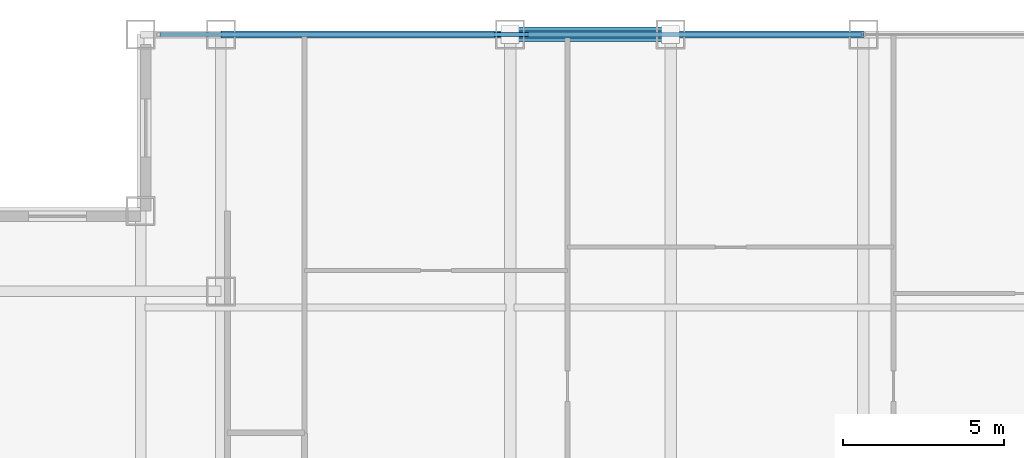
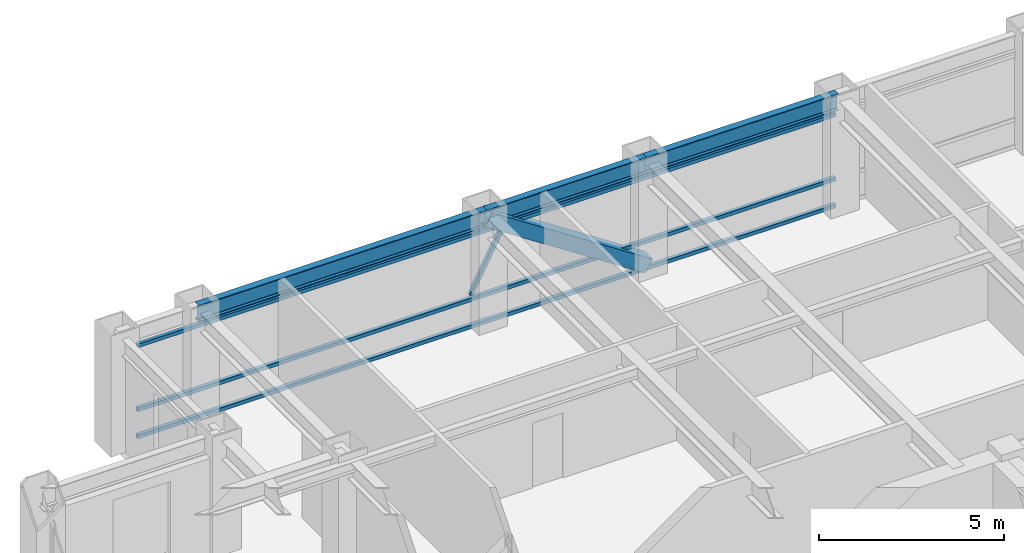
# One storey, part 13 of 22: 5 members, 3 beams, 1 element without a shape of its own.
"""IFC4 building model written with IfcOpenShell, lengths in metres."""

from ifc_helpers import new_model, si_unit, direction, frame, origin, origin_2d, place, context, subcontext, project, spatial, hollow_rectangle, i_section, extrude, source, transform, mapped, material, material_profile, profile_set, type_object, element, aggregate, save


model = new_model("IFC4")

# Units and contexts
model_context = context("Model", 3, precision=1e-05, world=origin(), true_north=direction((0.0, 1.0)))
body_context = subcontext(model_context, "Body", "Model", "MODEL_VIEW")
ifc_project = project(units=[si_unit("LENGTHUNIT", "METRE"), si_unit("AREAUNIT", "SQUARE_METRE"), si_unit("VOLUMEUNIT", "CUBIC_METRE"), si_unit("PLANEANGLEUNIT", "RADIAN"), si_unit("MASSUNIT", "GRAM", prefix="KILO")], contexts=[model_context])

# Site, building, storey
site_placement = place(None, origin())
site = spatial("IfcSite", under=ifc_project, at=site_placement, CompositionType="ELEMENT")
building_placement = place(site_placement, origin())
building = spatial("IfcBuilding", under=site, at=building_placement, Name="Khorayat Bourse Tower", CompositionType="ELEMENT")
storey_placement = place(building_placement, frame((0.0, 0.0, 301.5)))
storey = spatial("IfcBuildingStorey", under=building, at=storey_placement, Name="L71", CompositionType="ELEMENT", Elevation=301.5)

# Member
ifc_material_1 = material(Name="Steel EN 10025-4 S460M", Category="steel")
ifc_material_profile_1 = material_profile(ifc_material_1, hollow_rectangle(XDim=0.449951171875, YDim=0.449951171875, WallThickness=0.02490234375, at=origin_2d()), Name="HSS 450x450x25")
ifc_profile_set_1 = profile_set([ifc_material_profile_1], Name="Steel EN 10025-4 S460M")
member_type_1 = type_object("IfcMemberType", Name="MBR-TUBE-450", PredefinedType="BRACE", material=ifc_profile_set_1)
shared_shape_1 = source(origin(), body_context, "Body", "SweptSolid", [
    extrude(hollow_rectangle(XDim=0.449951171875, YDim=0.449951171875, WallThickness=0.02490234375, at=origin_2d()), origin(), (0.0, 0.0, 1.0), 5.979736328125),
])
member_1_placement = place(storey_placement, frame((-11.0, 28.0, 3.530029296875), z_axis=(0.836141536525, 0.0, -0.548513747227), x_axis=(0.0, 1.0, 0.0)))
element("IfcMember", 1, at=member_1_placement, inside=storey, type_object=member_type_1, Name="L71 Perimeter Tube Brace 03", PredefinedType="BRACE", context=body_context, shape_type="MappedRepresentation", body=[
    mapped(shared_shape_1, transform((0.0, 0.0, 0.0), scale=1.0)),
])

# Beams
ifc_material_2 = material(Name="Steel ASTM A992 Grade 50", Category="steel")
ifc_material_profile_2 = material_profile(ifc_material_2, i_section(OverallWidth=0.214111328125, OverallDepth=0.549072265625, WebThickness=0.0146484375, FlangeThickness=0.023681640625, FilletRadius=0.013916015625, at=origin_2d()), Name="W530X138")
ifc_profile_set_2 = profile_set([ifc_material_profile_2], Name="Steel ASTM A992 Grade 50")
beam_type = type_object("IfcBeamType", Name="BM-SPAN-530", PredefinedType="SPANDREL", material=ifc_profile_set_2)
shared_shape_2 = source(origin(), body_context, "Body", "SweptSolid", [
    extrude(i_section(OverallWidth=0.214111328125, OverallDepth=0.549072265625, WebThickness=0.0146484375, FlangeThickness=0.023681640625, FilletRadius=0.013916015625, at=origin_2d()), origin(), (0.0, 0.0, 1.0), 9.0),
])
beam_1_placement = place(storey_placement, frame((-20.0, 28.0, 3.505615234375), z_axis=(1.0, 0.0, 0.0), x_axis=(0.0, 1.0, 0.0)))
element("IfcBeam", 2, at=beam_1_placement, inside=storey, type_object=beam_type, Name="L71 BM-SPAN-530 BM-L71-SPN-050", PredefinedType="SPANDREL", context=body_context, shape_type="MappedRepresentation", body=[
    mapped(shared_shape_2, transform((0.0, 0.0, 0.0), scale=1.0)),
])
shared_shape_3 = source(origin(), body_context, "Body", "SweptSolid", [
    extrude(i_section(OverallWidth=0.214111328125, OverallDepth=0.549072265625, WebThickness=0.0146484375, FlangeThickness=0.023681640625, FilletRadius=0.013916015625, at=origin_2d()), origin(), (0.0, 0.0, 1.0), 5.0),
])
beam_2_placement = place(storey_placement, frame((-11.0, 28.0, 3.505615234375), z_axis=(1.0, 0.0, 0.0), x_axis=(0.0, 1.0, 0.0)))
element("IfcBeam", 3, at=beam_2_placement, inside=storey, type_object=beam_type, Name="L71 BM-SPAN-530 BM-L71-SPN-049", PredefinedType="SPANDREL", context=body_context, shape_type="MappedRepresentation", body=[
    mapped(shared_shape_3, transform((0.0, 0.0, 0.0), scale=1.0)),
])
shared_shape_4 = source(origin(), body_context, "Body", "SweptSolid", [
    extrude(i_section(OverallWidth=0.214111328125, OverallDepth=0.549072265625, WebThickness=0.0146484375, FlangeThickness=0.023681640625, FilletRadius=0.013916015625, at=origin_2d()), origin(), (0.0, 0.0, 1.0), 6.0),
])
beam_3_placement = place(storey_placement, frame((-6.0, 28.0, 3.505615234375), z_axis=(1.0, 0.0, 0.0), x_axis=(0.0, 1.0, 0.0)))
element("IfcBeam", 4, at=beam_3_placement, inside=storey, type_object=beam_type, Name="L71 BM-SPAN-530 BM-L71-SPN-048", PredefinedType="SPANDREL", context=body_context, shape_type="MappedRepresentation", body=[
    mapped(shared_shape_4, transform((0.0, 0.0, 0.0), scale=1.0)),
])

# Curtain wall, members
ifc_material_3 = material(Name="Aluminium EN AW-6063 T6", Category="aluminium")
curtain_wall_type = type_object("IfcCurtainWallType", Name="CW-SYS-04", PredefinedType="NOTDEFINED", material=ifc_material_3)
curtain_wall_placement = place(storey_placement, origin())
curtain_wall = element("IfcCurtainWall", 5, at=curtain_wall_placement, inside=storey, type_object=curtain_wall_type, Name="L71 Curtain Wall CW-L71-N1", PredefinedType="NOTDEFINED")
ifc_material_profile_3 = material_profile(ifc_material_3, hollow_rectangle(XDim=0.1201171875, YDim=0.1201171875, WallThickness=0.0048828125, at=origin_2d()), Name="ALU 120x120x5")
ifc_profile_set_3 = profile_set([ifc_material_profile_3], Name="Aluminium EN AW-6063 T6")
member_type_2 = type_object("IfcMemberType", Name="CWM-DIAG-120", PredefinedType="MULLION", material=ifc_profile_set_3)
shared_shape_5 = source(origin(), body_context, "Body", "SweptSolid", [
    extrude(hollow_rectangle(XDim=0.1201171875, YDim=0.1201171875, WallThickness=0.0048828125, at=origin_2d()), origin(), (0.0, 0.0, 1.0), 2.0791015625),
])
member_2_placement = place(storey_placement, frame((-11.4541015625, 28.0, 1.090087890625), z_axis=(0.465717394116, 0.0, 0.884933505309), x_axis=(0.0, 1.0, 0.0)))
member_2 = element("IfcMember", 6, at=member_2_placement, type_object=member_type_2, Name="CW-L71-N1 Faceted Diagonal Mullion 1", PredefinedType="MULLION", context=body_context, shape_type="MappedRepresentation", body=[
    mapped(shared_shape_5, transform((0.0, 0.0, 0.0), scale=1.0)),
])
ifc_material_profile_4 = material_profile(ifc_material_3, hollow_rectangle(XDim=0.1201171875, YDim=0.1201171875, WallThickness=0.0048828125, at=origin_2d()), Name="ALU 120x120x5")
ifc_profile_set_4 = profile_set([ifc_material_profile_4], Name="Aluminium EN AW-6063 T6")
member_type_3 = type_object("IfcMemberType", Name="CWT-HORZ-120", PredefinedType="USERDEFINED", material=ifc_profile_set_4)
shared_shape_6 = source(origin(), body_context, "Body", "SweptSolid", [
    extrude(hollow_rectangle(XDim=0.1201171875, YDim=0.1201171875, WallThickness=0.0048828125, at=origin_2d()), origin(), (0.0, 0.0, 1.0), 21.81982421875),
])
member_3_placement = place(storey_placement, frame((-21.8798828125, 28.0, 0.06005859375), z_axis=(1.0, 0.0, 0.0), x_axis=(0.0, 1.0, 0.0)))
member_3 = element("IfcMember", 7, at=member_3_placement, type_object=member_type_3, Name="CW-L71-N1 Horizontal Transom 1-1", ObjectType="TRANSOM", PredefinedType="USERDEFINED", context=body_context, shape_type="MappedRepresentation", body=[
    mapped(shared_shape_6, transform((0.0, 0.0, 0.0), scale=1.0)),
])
member_4_placement = place(storey_placement, frame((-21.8798828125, 28.0, 0.949951171875), z_axis=(1.0, 0.0, 0.0), x_axis=(0.0, 1.0, 0.0)))
member_4 = element("IfcMember", 8, at=member_4_placement, type_object=member_type_3, Name="CW-L71-N1 Horizontal Transom 1-2", ObjectType="TRANSOM", PredefinedType="USERDEFINED", context=body_context, shape_type="MappedRepresentation", body=[
    mapped(shared_shape_6, transform((0.0, 0.0, 0.0), scale=1.0)),
])
member_5_placement = place(storey_placement, frame((-21.8798828125, 28.0, 3.070068359375), z_axis=(1.0, 0.0, 0.0), x_axis=(0.0, 1.0, 0.0)))
member_5 = element("IfcMember", 9, at=member_5_placement, type_object=member_type_3, Name="CW-L71-N1 Horizontal Transom 1-3", ObjectType="TRANSOM", PredefinedType="USERDEFINED", context=body_context, shape_type="MappedRepresentation", body=[
    mapped(shared_shape_6, transform((0.0, 0.0, 0.0), scale=1.0)),
])
aggregate(curtain_wall, [member_3, member_4, member_5, member_2])

save(model, "model.ifc")
